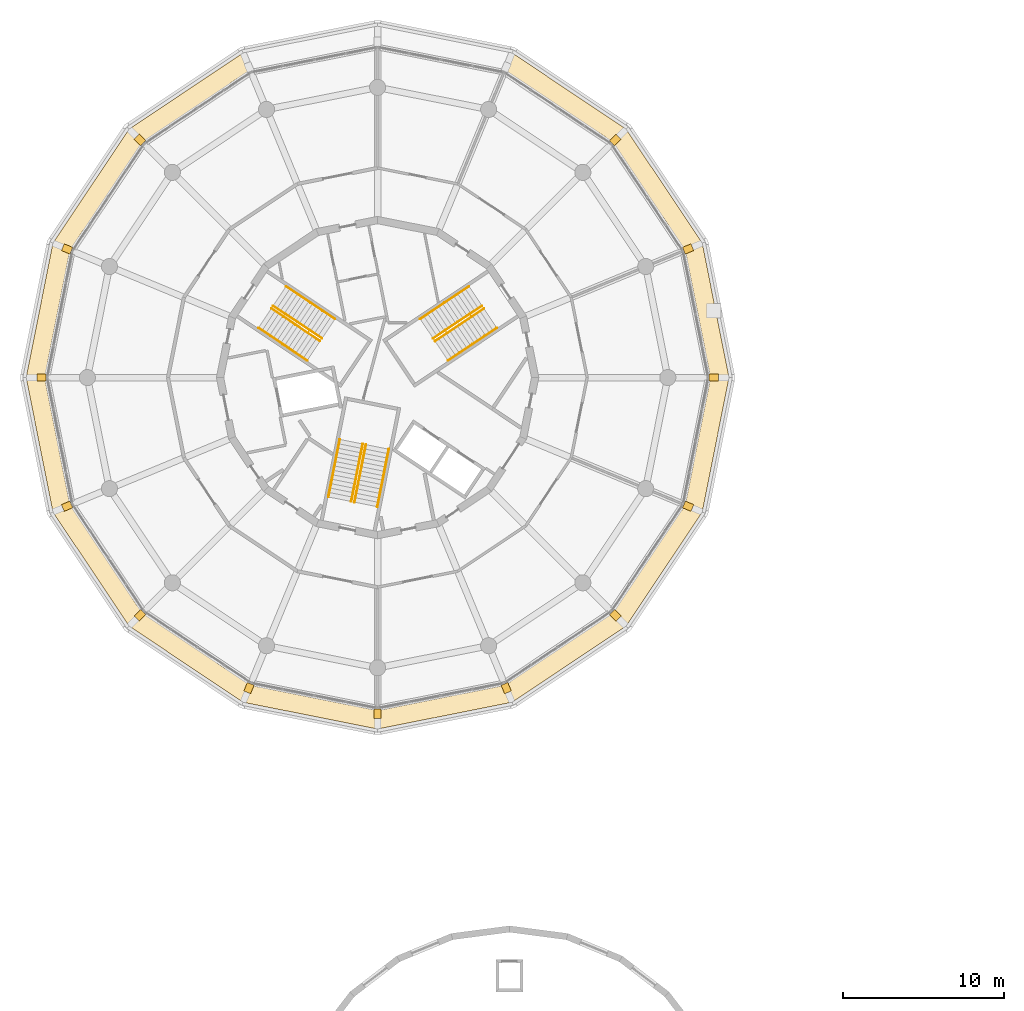
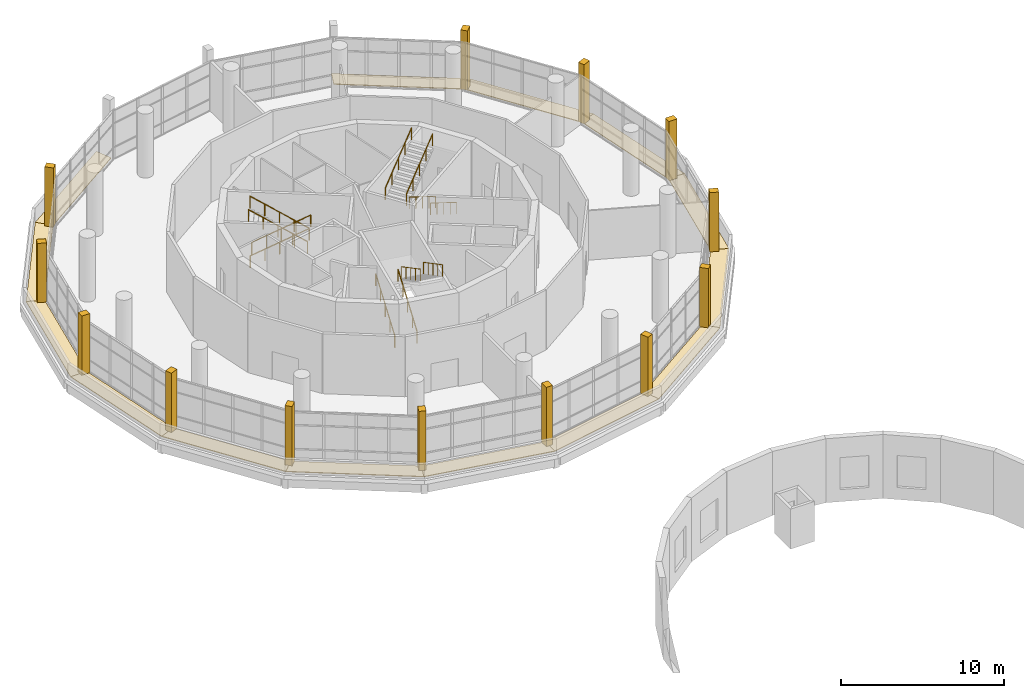
# One storey, part 36 of 40: 27 coverings, 12 railings.
"""IFC4 building model written with IfcOpenShell, lengths in metres."""

from ifc_helpers import new_model, si_unit, direction, frame, origin, origin_2d, place, context, subcontext, project, spatial, polyline, rectangle, circle, outline, extrude, material, layer, layer_set, type_object, element, save


model = new_model("IFC4")

# Units and contexts
model_context = context("Model", 3, precision=1e-05, world=origin(), true_north=direction((0.0, 1.0)))
body_context = subcontext(model_context, "Body", "Model", "MODEL_VIEW")
ifc_project = project(units=[si_unit("LENGTHUNIT", "METRE"), si_unit("AREAUNIT", "SQUARE_METRE"), si_unit("VOLUMEUNIT", "CUBIC_METRE"), si_unit("PLANEANGLEUNIT", "RADIAN"), si_unit("MASSUNIT", "GRAM", prefix="KILO")], contexts=[model_context])

# Site, building, storey
site_placement = place(None, origin())
site = spatial("IfcSite", under=ifc_project, at=site_placement, CompositionType="ELEMENT")
building_placement = place(site_placement, origin())
building = spatial("IfcBuilding", under=site, at=building_placement, Name="Ceibo Conservatory and Research Tower", CompositionType="ELEMENT")
storey_placement = place(building_placement, frame((0.0, 0.0, 6.0)))
storey = spatial("IfcBuildingStorey", under=building, at=storey_placement, Name="L01", CompositionType="ELEMENT", Elevation=6.0)

# Coverings
ifc_material_1 = material(Name="Concrete C35/45", Category="concrete")
covering_type_1 = type_object("IfcCoveringType", Name="Precast concrete pier 450x550", PredefinedType="CLADDING", material=ifc_material_1)
for number, where, z_axis, x_axis, name in (
    (1, (68.8466796875, 120.0, 0.0498046875), (0.0, 0.0, 1.0), (1.0, 0.0, 0.0), "Precast pier 01.01"),
    (2, (67.259765625, 127.9775390625, 0.0498046875), (0.0, 0.0, 1.0), (0.923879532511, 0.382683432365, 0.0), "Precast pier 01.02"),
    (3, (62.74072265625, 134.74072265625, 0.0498046875), (0.0, 0.0, 1.0), (0.707106781187, 0.707106781187, 0.0), "Precast pier 01.03"),
    (4, (33.25927734375, 134.74072265625, 0.0498046875), (0.0, 0.0, 1.0), (-0.707106781187, 0.707106781187, 0.0), "Precast pier 01.07"),
    (5, (28.740234375, 127.9775390625, 0.0498046875), (0.0, 0.0, 1.0), (-0.923879532511, 0.382683432365, 0.0), "Precast pier 01.08"),
    (6, (27.1533203125, 120.0, 0.0498046875), (0.0, 0.0, 1.0), (-1.0, 0.0, 0.0), "Precast pier 01.09"),
    (7, (28.740234375, 112.0224609375, 0.0498046875), (0.0, 0.0, 1.0), (-0.923879532511, -0.382683432365, 0.0), "Precast pier 01.10"),
    (8, (33.25927734375, 105.25927734375, 0.0498046875), (0.0, 0.0, 1.0), (-0.707106781187, -0.707106781187, 0.0), "Precast pier 01.11"),
    (9, (40.0224609375, 100.740234375, 0.0498046875), (0.0, 0.0, 1.0), (-0.382683432365, -0.923879532511, 0.0), "Precast pier 01.12"),
    (10, (48.0, 99.1533203125, 0.0498046875), (0.0, 0.0, 1.0), (0.0, -1.0, 0.0), "Precast pier 01.13"),
    (11, (55.9775390625, 100.740234375, 0.0498046875), (0.0, 0.0, 1.0), (0.382683432365, -0.923879532511, 0.0), "Precast pier 01.14"),
    (12, (62.74072265625, 105.25927734375, 0.0498046875), (0.0, 0.0, 1.0), (0.707106781187, -0.707106781187, 0.0), "Precast pier 01.15"),
    (13, (67.259765625, 112.0224609375, 0.0498046875), (0.0, 0.0, 1.0), (0.923879532511, -0.382683432365, 0.0), "Precast pier 01.16"),
):
    element("IfcCovering", number, at=place(storey_placement, frame(where, z_axis=z_axis, x_axis=x_axis)), inside=storey, type_object=covering_type_1, Name=name, PredefinedType="CLADDING", context=body_context, shape_type="SweptSolid", body=[
        extrude(rectangle(XDim=0.570068359375, YDim=0.449951171875, at=origin_2d()), origin(), (0.0, 0.0, 1.0), 4.449951171875),
    ])
ifc_material_2 = material(Name="Bituminous membrane")
ifc_layer_1 = layer(ifc_material_2, 0.006103515625, Name="Cap sheet")
ifc_layer_2 = layer(ifc_material_2, 0.00390625, Name="Base sheet")
ifc_material_3 = material(Name="Rigid insulation")
ifc_layer_3 = layer(ifc_material_3, 0.0400390625, Name="Insulation")
ifc_layer_set = layer_set([ifc_layer_1, ifc_layer_2, ifc_layer_3], Name="Bituminous membrane")
covering_type_2 = type_object("IfcCoveringType", Name="Roofing membrane 50", PredefinedType="ROOFING", material=ifc_layer_set)
covering_1_placement = place(storey_placement, origin())
element("IfcCovering", 14, at=covering_1_placement, inside=storey, type_object=covering_type_2, Name="Roof covering L01 1", PredefinedType="ROOFING", context=body_context, shape_type="SweptSolid", body=[
    extrude(outline(polyline([(69.796142578125, 120.0), (68.136962890625, 128.341064453125), (67.080810546875, 127.903564453125), (68.65283203125, 120.0), (69.796142578125, 120.0)])), origin(), (0.0, 0.0, 1.0), 0.050048828125),
])
covering_2_placement = place(storey_placement, origin())
element("IfcCovering", 15, at=covering_2_placement, inside=storey, type_object=covering_type_2, Name="Roof covering L01 2", PredefinedType="ROOFING", context=body_context, shape_type="SweptSolid", body=[
    extrude(outline(polyline([(68.136962890625, 128.341064453125), (63.412109375, 135.412109375), (62.603759765625, 134.603759765625), (67.080810546875, 127.903564453125), (68.136962890625, 128.341064453125)])), origin(), (0.0, 0.0, 1.0), 0.050048828125),
])
covering_3_placement = place(storey_placement, origin())
element("IfcCovering", 16, at=covering_3_placement, inside=storey, type_object=covering_type_2, Name="Roof covering L01 3", PredefinedType="ROOFING", context=body_context, shape_type="SweptSolid", body=[
    extrude(outline(polyline([(63.412109375, 135.412109375), (56.341064453125, 140.136962890625), (55.903564453125, 139.080810546875), (62.603759765625, 134.603759765625), (63.412109375, 135.412109375)])), origin(), (0.0, 0.0, 1.0), 0.050048828125),
])
covering_4_placement = place(storey_placement, origin())
element("IfcCovering", 17, at=covering_4_placement, inside=storey, type_object=covering_type_2, Name="Roof covering L01 6", PredefinedType="ROOFING", context=body_context, shape_type="SweptSolid", body=[
    extrude(outline(polyline([(39.658935546875, 140.136962890625), (32.587890625, 135.412109375), (33.396240234375, 134.603759765625), (40.096435546875, 139.080810546875), (39.658935546875, 140.136962890625)])), origin(), (0.0, 0.0, 1.0), 0.050048828125),
])
covering_5_placement = place(storey_placement, origin())
element("IfcCovering", 18, at=covering_5_placement, inside=storey, type_object=covering_type_2, Name="Roof covering L01 7", PredefinedType="ROOFING", context=body_context, shape_type="SweptSolid", body=[
    extrude(outline(polyline([(32.587890625, 135.412109375), (27.863037109375, 128.341064453125), (28.919189453125, 127.903564453125), (33.396240234375, 134.603759765625), (32.587890625, 135.412109375)])), origin(), (0.0, 0.0, 1.0), 0.050048828125),
])
covering_6_placement = place(storey_placement, origin())
element("IfcCovering", 19, at=covering_6_placement, inside=storey, type_object=covering_type_2, Name="Roof covering L01 8", PredefinedType="ROOFING", context=body_context, shape_type="SweptSolid", body=[
    extrude(outline(polyline([(27.863037109375, 128.341064453125), (26.203857421875, 120.0), (27.34716796875, 120.0), (28.919189453125, 127.903564453125), (27.863037109375, 128.341064453125)])), origin(), (0.0, 0.0, 1.0), 0.050048828125),
])
covering_7_placement = place(storey_placement, origin())
element("IfcCovering", 20, at=covering_7_placement, inside=storey, type_object=covering_type_2, Name="Roof covering L01 9", PredefinedType="ROOFING", context=body_context, shape_type="SweptSolid", body=[
    extrude(outline(polyline([(26.203857421875, 120.0), (27.863037109375, 111.658935546875), (28.919189453125, 112.096435546875), (27.34716796875, 120.0), (26.203857421875, 120.0)])), origin(), (0.0, 0.0, 1.0), 0.050048828125),
])
covering_8_placement = place(storey_placement, origin())
element("IfcCovering", 21, at=covering_8_placement, inside=storey, type_object=covering_type_2, Name="Roof covering L01 10", PredefinedType="ROOFING", context=body_context, shape_type="SweptSolid", body=[
    extrude(outline(polyline([(27.863037109375, 111.658935546875), (32.587890625, 104.587890625), (33.396240234375, 105.396240234375), (28.919189453125, 112.096435546875), (27.863037109375, 111.658935546875)])), origin(), (0.0, 0.0, 1.0), 0.050048828125),
])
covering_9_placement = place(storey_placement, origin())
element("IfcCovering", 22, at=covering_9_placement, inside=storey, type_object=covering_type_2, Name="Roof covering L01 11", PredefinedType="ROOFING", context=body_context, shape_type="SweptSolid", body=[
    extrude(outline(polyline([(32.587890625, 104.587890625), (39.658935546875, 99.863037109375), (40.096435546875, 100.919189453125), (33.396240234375, 105.396240234375), (32.587890625, 104.587890625)])), origin(), (0.0, 0.0, 1.0), 0.050048828125),
])
covering_10_placement = place(storey_placement, origin())
element("IfcCovering", 23, at=covering_10_placement, inside=storey, type_object=covering_type_2, Name="Roof covering L01 12", PredefinedType="ROOFING", context=body_context, shape_type="SweptSolid", body=[
    extrude(outline(polyline([(39.658935546875, 99.863037109375), (48.0, 98.203857421875), (48.0, 99.34716796875), (40.096435546875, 100.919189453125), (39.658935546875, 99.863037109375)])), origin(), (0.0, 0.0, 1.0), 0.050048828125),
])
covering_11_placement = place(storey_placement, origin())
element("IfcCovering", 24, at=covering_11_placement, inside=storey, type_object=covering_type_2, Name="Roof covering L01 13", PredefinedType="ROOFING", context=body_context, shape_type="SweptSolid", body=[
    extrude(outline(polyline([(48.0, 98.203857421875), (56.341064453125, 99.863037109375), (55.903564453125, 100.919189453125), (48.0, 99.34716796875), (48.0, 98.203857421875)])), origin(), (0.0, 0.0, 1.0), 0.050048828125),
])
covering_12_placement = place(storey_placement, origin())
element("IfcCovering", 25, at=covering_12_placement, inside=storey, type_object=covering_type_2, Name="Roof covering L01 14", PredefinedType="ROOFING", context=body_context, shape_type="SweptSolid", body=[
    extrude(outline(polyline([(56.341064453125, 99.863037109375), (63.412109375, 104.587890625), (62.603759765625, 105.396240234375), (55.903564453125, 100.919189453125), (56.341064453125, 99.863037109375)])), origin(), (0.0, 0.0, 1.0), 0.050048828125),
])
covering_13_placement = place(storey_placement, origin())
element("IfcCovering", 26, at=covering_13_placement, inside=storey, type_object=covering_type_2, Name="Roof covering L01 15", PredefinedType="ROOFING", context=body_context, shape_type="SweptSolid", body=[
    extrude(outline(polyline([(63.412109375, 104.587890625), (68.136962890625, 111.658935546875), (67.080810546875, 112.096435546875), (62.603759765625, 105.396240234375), (63.412109375, 104.587890625)])), origin(), (0.0, 0.0, 1.0), 0.050048828125),
])
covering_14_placement = place(storey_placement, origin())
element("IfcCovering", 27, at=covering_14_placement, inside=storey, type_object=covering_type_2, Name="Roof covering L01 16", PredefinedType="ROOFING", context=body_context, shape_type="SweptSolid", body=[
    extrude(outline(polyline([(68.136962890625, 111.658935546875), (69.796142578125, 120.0), (68.65283203125, 120.0), (67.080810546875, 112.096435546875), (68.136962890625, 111.658935546875)])), origin(), (0.0, 0.0, 1.0), 0.050048828125),
])

# Railings
ifc_material_4 = material(Name="Stainless steel AISI 316", Category="steel")
railing_type = type_object("IfcRailingType", Name="Stair handrail 900", PredefinedType="HANDRAIL", material=ifc_material_4)
railing_1_placement = place(storey_placement, frame((55.394287109375, 123.07763671875, 0.17138671875)))
element("IfcRailing", 28, at=railing_1_placement, inside=storey, type_object=railing_type, Name="Handrail ST1 01 1a", PredefinedType="HANDRAIL", context=body_context, shape_type="SweptSolid", body=[
    extrude(circle(Radius=0.02392578125, at=origin_2d()), frame((0.0, 0.0, 0.8759765625), z_axis=(-0.709136631982, -0.473806463073, 0.522142387411), x_axis=(0.555551194891, -0.831482332858, 0.0)), (0.0, 0.0, 1.0), 4.26806640625),
    extrude(circle(Radius=0.02099609375, at=origin_2d()), origin(), (0.0, 0.0, 1.0), 0.851806640625),
    extrude(circle(Radius=0.02099609375, at=origin_2d()), frame((-0.756591796875, -0.505615234375, 0.55712890625)), (0.0, 0.0, 1.0), 0.851806640625),
    extrude(circle(Radius=0.02099609375, at=origin_2d()), frame((-1.51318359375, -1.01123046875, 1.1142578125)), (0.0, 0.0, 1.0), 0.851806640625),
    extrude(circle(Radius=0.02099609375, at=origin_2d()), frame((-2.27001953125, -1.5166015625, 1.67138671875)), (0.0, 0.0, 1.0), 0.851806640625),
    extrude(circle(Radius=0.02099609375, at=origin_2d()), frame((-3.026611328125, -2.022216796875, 2.228515625)), (0.0, 0.0, 1.0), 0.851806640625),
])
railing_2_placement = place(storey_placement, frame((54.589599609375, 124.28173828125, 0.17138671875)))
element("IfcRailing", 29, at=railing_2_placement, inside=storey, type_object=railing_type, Name="Handrail ST1 01 1b", PredefinedType="HANDRAIL", context=body_context, shape_type="SweptSolid", body=[
    extrude(circle(Radius=0.02392578125, at=origin_2d()), frame((0.0, 0.0, 0.8759765625), z_axis=(-0.709088972795, -0.473870042807, 0.522149414623), x_axis=(0.555628546784, -0.831430645333, 0.0)), (0.0, 0.0, 1.0), 4.26806640625),
    extrude(circle(Radius=0.02099609375, at=origin_2d()), origin(), (0.0, 0.0, 1.0), 0.851806640625),
    extrude(circle(Radius=0.02099609375, at=origin_2d()), frame((-0.756591796875, -0.505615234375, 0.55712890625)), (0.0, 0.0, 1.0), 0.851806640625),
    extrude(circle(Radius=0.02099609375, at=origin_2d()), frame((-1.51318359375, -1.01123046875, 1.1142578125)), (0.0, 0.0, 1.0), 0.851806640625),
    extrude(circle(Radius=0.02099609375, at=origin_2d()), frame((-2.269775390625, -1.516845703125, 1.67138671875)), (0.0, 0.0, 1.0), 0.851806640625),
    extrude(circle(Radius=0.02099609375, at=origin_2d()), frame((-3.0263671875, -2.0224609375, 2.228515625)), (0.0, 0.0, 1.0), 0.851806640625),
])
railing_3_placement = place(storey_placement, frame((50.646240234375, 123.63134765625, 2.5712890625)))
element("IfcRailing", 30, at=railing_3_placement, inside=storey, type_object=railing_type, Name="Handrail ST1 01 2a", PredefinedType="HANDRAIL", context=body_context, shape_type="SweptSolid", body=[
    extrude(circle(Radius=0.02392578125, at=origin_2d()), frame((0.0, 0.0, 0.8759765625), z_axis=(0.709136631982, 0.473806463073, 0.522142387411), x_axis=(-0.555551194891, 0.831482332858, 0.0)), (0.0, 0.0, 1.0), 4.26806640625),
    extrude(circle(Radius=0.02099609375, at=origin_2d()), origin(), (0.0, 0.0, 1.0), 0.851806640625),
    extrude(circle(Radius=0.02099609375, at=origin_2d()), frame((0.756591796875, 0.505615234375, 0.55712890625)), (0.0, 0.0, 1.0), 0.851806640625),
    extrude(circle(Radius=0.02099609375, at=origin_2d()), frame((1.51318359375, 1.01123046875, 1.1142578125)), (0.0, 0.0, 1.0), 0.851806640625),
    extrude(circle(Radius=0.02099609375, at=origin_2d()), frame((2.27001953125, 1.5166015625, 1.67138671875)), (0.0, 0.0, 1.0), 0.851806640625),
    extrude(circle(Radius=0.02099609375, at=origin_2d()), frame((3.026611328125, 2.022216796875, 2.228515625)), (0.0, 0.0, 1.0), 0.851806640625),
])
railing_4_placement = place(storey_placement, frame((51.450927734375, 122.42724609375, 2.5712890625)))
element("IfcRailing", 31, at=railing_4_placement, inside=storey, type_object=railing_type, Name="Handrail ST1 01 2b", PredefinedType="HANDRAIL", context=body_context, shape_type="SweptSolid", body=[
    extrude(circle(Radius=0.02392578125, at=origin_2d()), frame((0.0, 0.0, 0.8759765625), z_axis=(0.709088972795, 0.473870042807, 0.522149414623), x_axis=(-0.555628546784, 0.831430645333, 0.0)), (0.0, 0.0, 1.0), 4.26806640625),
    extrude(circle(Radius=0.02099609375, at=origin_2d()), origin(), (0.0, 0.0, 1.0), 0.851806640625),
    extrude(circle(Radius=0.02099609375, at=origin_2d()), frame((0.756591796875, 0.505615234375, 0.55712890625)), (0.0, 0.0, 1.0), 0.851806640625),
    extrude(circle(Radius=0.02099609375, at=origin_2d()), frame((1.51318359375, 1.01123046875, 1.1142578125)), (0.0, 0.0, 1.0), 0.851806640625),
    extrude(circle(Radius=0.02099609375, at=origin_2d()), frame((2.269775390625, 1.516845703125, 1.67138671875)), (0.0, 0.0, 1.0), 0.851806640625),
    extrude(circle(Radius=0.02099609375, at=origin_2d()), frame((3.0263671875, 2.0224609375, 2.228515625)), (0.0, 0.0, 1.0), 0.851806640625),
])
railing_5_placement = place(storey_placement, frame((42.3271484375, 125.653564453125, 0.17138671875)))
element("IfcRailing", 32, at=railing_5_placement, inside=storey, type_object=railing_type, Name="Handrail ST2 01 1a", PredefinedType="HANDRAIL", context=body_context, shape_type="SweptSolid", body=[
    extrude(circle(Radius=0.02392578125, at=origin_2d()), frame((0.0, 0.0, 0.8759765625), z_axis=(0.709088972795, -0.473870042807, 0.522149414623), x_axis=(0.555628546784, 0.831430645333, 0.0)), (0.0, 0.0, 1.0), 4.26806640625),
    extrude(circle(Radius=0.02099609375, at=origin_2d()), origin(), (0.0, 0.0, 1.0), 0.851806640625),
    extrude(circle(Radius=0.02099609375, at=origin_2d()), frame((0.756591796875, -0.505615234375, 0.55712890625)), (0.0, 0.0, 1.0), 0.851806640625),
    extrude(circle(Radius=0.02099609375, at=origin_2d()), frame((1.51318359375, -1.01123046875, 1.1142578125)), (0.0, 0.0, 1.0), 0.851806640625),
    extrude(circle(Radius=0.02099609375, at=origin_2d()), frame((2.269775390625, -1.516845703125, 1.67138671875)), (0.0, 0.0, 1.0), 0.851806640625),
    extrude(circle(Radius=0.02099609375, at=origin_2d()), frame((3.0263671875, -2.0224609375, 2.228515625)), (0.0, 0.0, 1.0), 0.851806640625),
])
railing_6_placement = place(storey_placement, frame((41.5224609375, 124.449462890625, 0.17138671875)))
element("IfcRailing", 33, at=railing_6_placement, inside=storey, type_object=railing_type, Name="Handrail ST2 01 1b", PredefinedType="HANDRAIL", context=body_context, shape_type="SweptSolid", body=[
    extrude(circle(Radius=0.02392578125, at=origin_2d()), frame((0.0, 0.0, 0.8759765625), z_axis=(0.709136631982, -0.473806463073, 0.522142387411), x_axis=(0.555551194891, 0.831482332858, 0.0)), (0.0, 0.0, 1.0), 4.26806640625),
    extrude(circle(Radius=0.02099609375, at=origin_2d()), origin(), (0.0, 0.0, 1.0), 0.851806640625),
    extrude(circle(Radius=0.02099609375, at=origin_2d()), frame((0.756591796875, -0.505615234375, 0.55712890625)), (0.0, 0.0, 1.0), 0.851806640625),
    extrude(circle(Radius=0.02099609375, at=origin_2d()), frame((1.51318359375, -1.01123046875, 1.1142578125)), (0.0, 0.0, 1.0), 0.851806640625),
    extrude(circle(Radius=0.02099609375, at=origin_2d()), frame((2.27001953125, -1.5166015625, 1.67138671875)), (0.0, 0.0, 1.0), 0.851806640625),
    extrude(circle(Radius=0.02099609375, at=origin_2d()), frame((3.026611328125, -2.022216796875, 2.228515625)), (0.0, 0.0, 1.0), 0.851806640625),
])
railing_7_placement = place(storey_placement, frame((43.63232421875, 121.055419921875, 2.5712890625)))
element("IfcRailing", 34, at=railing_7_placement, inside=storey, type_object=railing_type, Name="Handrail ST2 01 2a", PredefinedType="HANDRAIL", context=body_context, shape_type="SweptSolid", body=[
    extrude(circle(Radius=0.02392578125, at=origin_2d()), frame((0.0, 0.0, 0.8759765625), z_axis=(-0.709088972795, 0.473870042807, 0.522149414623), x_axis=(-0.555628546784, -0.831430645333, 0.0)), (0.0, 0.0, 1.0), 4.26806640625),
    extrude(circle(Radius=0.02099609375, at=origin_2d()), origin(), (0.0, 0.0, 1.0), 0.851806640625),
    extrude(circle(Radius=0.02099609375, at=origin_2d()), frame((-0.756591796875, 0.505615234375, 0.55712890625)), (0.0, 0.0, 1.0), 0.851806640625),
    extrude(circle(Radius=0.02099609375, at=origin_2d()), frame((-1.51318359375, 1.01123046875, 1.1142578125)), (0.0, 0.0, 1.0), 0.851806640625),
    extrude(circle(Radius=0.02099609375, at=origin_2d()), frame((-2.269775390625, 1.516845703125, 1.67138671875)), (0.0, 0.0, 1.0), 0.851806640625),
    extrude(circle(Radius=0.02099609375, at=origin_2d()), frame((-3.0263671875, 2.0224609375, 2.228515625)), (0.0, 0.0, 1.0), 0.851806640625),
])
railing_8_placement = place(storey_placement, frame((44.43701171875, 122.259521484375, 2.5712890625)))
element("IfcRailing", 35, at=railing_8_placement, inside=storey, type_object=railing_type, Name="Handrail ST2 01 2b", PredefinedType="HANDRAIL", context=body_context, shape_type="SweptSolid", body=[
    extrude(circle(Radius=0.02392578125, at=origin_2d()), frame((0.0, 0.0, 0.8759765625), z_axis=(-0.709136631982, 0.473806463073, 0.522142387411), x_axis=(-0.555551194891, -0.831482332858, 0.0)), (0.0, 0.0, 1.0), 4.26806640625),
    extrude(circle(Radius=0.02099609375, at=origin_2d()), origin(), (0.0, 0.0, 1.0), 0.851806640625),
    extrude(circle(Radius=0.02099609375, at=origin_2d()), frame((-0.756591796875, 0.505615234375, 0.55712890625)), (0.0, 0.0, 1.0), 0.851806640625),
    extrude(circle(Radius=0.02099609375, at=origin_2d()), frame((-1.51318359375, 1.01123046875, 1.1142578125)), (0.0, 0.0, 1.0), 0.851806640625),
    extrude(circle(Radius=0.02099609375, at=origin_2d()), frame((-2.27001953125, 1.5166015625, 1.67138671875)), (0.0, 0.0, 1.0), 0.851806640625),
    extrude(circle(Radius=0.02099609375, at=origin_2d()), frame((-3.026611328125, 2.022216796875, 2.228515625)), (0.0, 0.0, 1.0), 0.851806640625),
])
railing_9_placement = place(storey_placement, frame((44.94775390625, 112.595458984375, 0.17138671875)))
element("IfcRailing", 36, at=railing_9_placement, inside=storey, type_object=railing_type, Name="Handrail ST3 01 1a", PredefinedType="HANDRAIL", context=body_context, shape_type="SweptSolid", body=[
    extrude(circle(Radius=0.02392578125, at=origin_2d()), frame((0.0, 0.0, 0.8759765625), z_axis=(0.166401230899, 0.836467926931, 0.522141779185), x_axis=(-0.980781373022, 0.195109964721, 0.0)), (0.0, 0.0, 1.0), 4.26806640625),
    extrude(circle(Radius=0.02099609375, at=origin_2d()), origin(), (0.0, 0.0, 1.0), 0.851806640625),
    extrude(circle(Radius=0.02099609375, at=origin_2d()), frame((0.177490234375, 0.892578125, 0.55712890625)), (0.0, 0.0, 1.0), 0.851806640625),
    extrude(circle(Radius=0.02099609375, at=origin_2d()), frame((0.35498046875, 1.78515625, 1.1142578125)), (0.0, 0.0, 1.0), 0.851806640625),
    extrude(circle(Radius=0.02099609375, at=origin_2d()), frame((0.53271484375, 2.677490234375, 1.67138671875)), (0.0, 0.0, 1.0), 0.851806640625),
    extrude(circle(Radius=0.02099609375, at=origin_2d()), frame((0.710205078125, 3.570068359375, 2.228515625)), (0.0, 0.0, 1.0), 0.851806640625),
])
railing_10_placement = place(storey_placement, frame((46.3681640625, 112.312744140625, 0.17138671875)))
element("IfcRailing", 37, at=railing_10_placement, inside=storey, type_object=railing_type, Name="Handrail ST3 01 1b", PredefinedType="HANDRAIL", context=body_context, shape_type="SweptSolid", body=[
    extrude(circle(Radius=0.02392578125, at=origin_2d()), frame((0.0, 0.0, 0.8759765625), z_axis=(0.166345611788, 0.836475887611, 0.522146748418), x_axis=(-0.980794205817, 0.195045445566, 0.0)), (0.0, 0.0, 1.0), 4.26806640625),
    extrude(circle(Radius=0.02099609375, at=origin_2d()), origin(), (0.0, 0.0, 1.0), 0.851806640625),
    extrude(circle(Radius=0.02099609375, at=origin_2d()), frame((0.177490234375, 0.892578125, 0.55712890625)), (0.0, 0.0, 1.0), 0.851806640625),
    extrude(circle(Radius=0.02099609375, at=origin_2d()), frame((0.35498046875, 1.78515625, 1.1142578125)), (0.0, 0.0, 1.0), 0.851806640625),
    extrude(circle(Radius=0.02099609375, at=origin_2d()), frame((0.532470703125, 2.677490234375, 1.67138671875)), (0.0, 0.0, 1.0), 0.851806640625),
    extrude(circle(Radius=0.02099609375, at=origin_2d()), frame((0.7099609375, 3.570068359375, 2.228515625)), (0.0, 0.0, 1.0), 0.851806640625),
])
railing_11_placement = place(storey_placement, frame((48.696533203125, 115.560791015625, 2.5712890625)))
element("IfcRailing", 38, at=railing_11_placement, inside=storey, type_object=railing_type, Name="Handrail ST3 01 2a", PredefinedType="HANDRAIL", context=body_context, shape_type="SweptSolid", body=[
    extrude(circle(Radius=0.02392578125, at=origin_2d()), frame((0.0, 0.0, 0.8759765625), z_axis=(-0.166401230899, -0.836467926931, 0.522141779185), x_axis=(0.980781373022, -0.195109964721, 0.0)), (0.0, 0.0, 1.0), 4.26806640625),
    extrude(circle(Radius=0.02099609375, at=origin_2d()), origin(), (0.0, 0.0, 1.0), 0.851806640625),
    extrude(circle(Radius=0.02099609375, at=origin_2d()), frame((-0.177490234375, -0.892578125, 0.55712890625)), (0.0, 0.0, 1.0), 0.851806640625),
    extrude(circle(Radius=0.02099609375, at=origin_2d()), frame((-0.35498046875, -1.78515625, 1.1142578125)), (0.0, 0.0, 1.0), 0.851806640625),
    extrude(circle(Radius=0.02099609375, at=origin_2d()), frame((-0.53271484375, -2.677490234375, 1.67138671875)), (0.0, 0.0, 1.0), 0.851806640625),
    extrude(circle(Radius=0.02099609375, at=origin_2d()), frame((-0.710205078125, -3.570068359375, 2.228515625)), (0.0, 0.0, 1.0), 0.851806640625),
])
railing_12_placement = place(storey_placement, frame((47.276123046875, 115.843505859375, 2.5712890625)))
element("IfcRailing", 39, at=railing_12_placement, inside=storey, type_object=railing_type, Name="Handrail ST3 01 2b", PredefinedType="HANDRAIL", context=body_context, shape_type="SweptSolid", body=[
    extrude(circle(Radius=0.02392578125, at=origin_2d()), frame((0.0, 0.0, 0.8759765625), z_axis=(-0.166345611788, -0.836475887611, 0.522146748418), x_axis=(0.980794205817, -0.195045445566, 0.0)), (0.0, 0.0, 1.0), 4.26806640625),
    extrude(circle(Radius=0.02099609375, at=origin_2d()), origin(), (0.0, 0.0, 1.0), 0.851806640625),
    extrude(circle(Radius=0.02099609375, at=origin_2d()), frame((-0.177490234375, -0.892578125, 0.55712890625)), (0.0, 0.0, 1.0), 0.851806640625),
    extrude(circle(Radius=0.02099609375, at=origin_2d()), frame((-0.35498046875, -1.78515625, 1.1142578125)), (0.0, 0.0, 1.0), 0.851806640625),
    extrude(circle(Radius=0.02099609375, at=origin_2d()), frame((-0.532470703125, -2.677490234375, 1.67138671875)), (0.0, 0.0, 1.0), 0.851806640625),
    extrude(circle(Radius=0.02099609375, at=origin_2d()), frame((-0.7099609375, -3.570068359375, 2.228515625)), (0.0, 0.0, 1.0), 0.851806640625),
])

save(model, "model.ifc")
